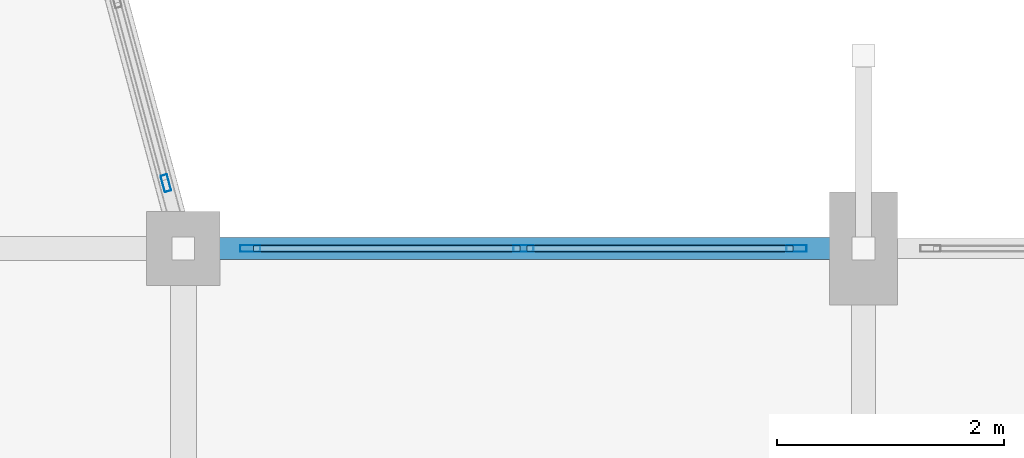
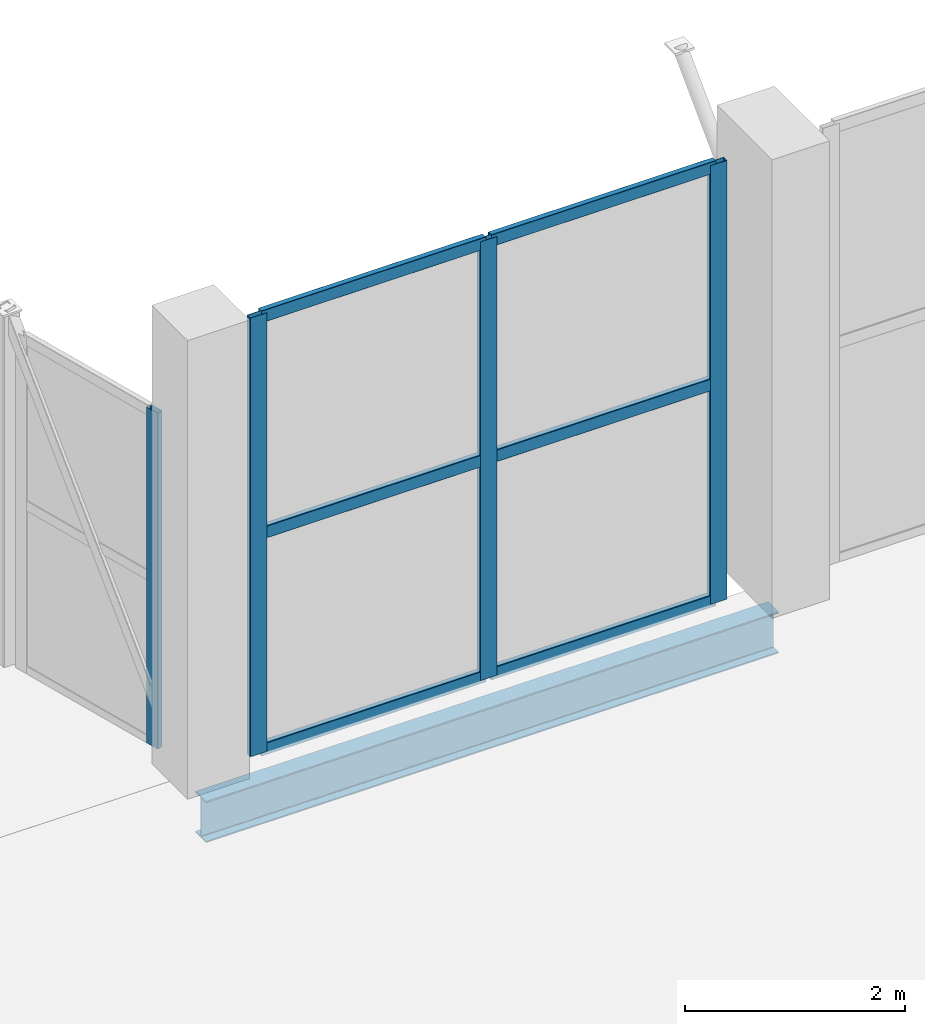
# One storey, part 44 of 127: 10 members, 1 beam, 2 elements without a shape of their own.
"""IFC4 building model written with IfcOpenShell, lengths in metres."""

import ifcopenshell
import ifcopenshell.guid

model = None  # the IFC model being written
_history = None  # IfcOwnerHistory: only IFC2X3 demands one
_inside = {}  # id of a spatial element -> (the spatial element, [elements in it])
_under = {}  # id of a project, library or spatial element -> (it, [spatial elements below it])
_declared = {}  # id of a project -> (the project, [libraries it declares])
_typed = {}  # id of a type object -> (the type object, [elements of that type])
_made_of = {}  # id of a material, layer set ... -> (it, [elements and type objects made of it])


def new_model(schema):
    """Start an empty IFC model of exactly this schema.

    Asked for "IFC4X3", IfcOpenShell would pick the latest addendum, in which some entities
    have other attributes; the version numbers below select the first issue.
    IFC2X3 requires an IfcOwnerHistory on every rooted entity: one is made here for all.
    """
    global model, _history
    if schema == "IFC4X3":
        model = ifcopenshell.file(schema_version=(4, 3, 0, 0))
    else:
        model = ifcopenshell.file(schema=schema)
    _inside.clear()
    _under.clear()
    _declared.clear()
    _typed.clear()
    _made_of.clear()
    _history = None
    if model.schema == "IFC2X3":
        org = make("IfcOrganization", Name="unknown")
        user = make(
            "IfcPersonAndOrganization",
            ThePerson=make("IfcPerson", FamilyName="unknown"),
            TheOrganization=org,
        )
        app = make(
            "IfcApplication",
            ApplicationDeveloper=org,
            Version="unknown",
            ApplicationFullName="unknown",
            ApplicationIdentifier="unknown",
        )
        _history = make(
            "IfcOwnerHistory",
            OwningUser=user,
            OwningApplication=app,
            ChangeAction="ADDED",
            CreationDate=0,
        )
    return model


def make(cls, **values):
    """One entity of the class cls with the attributes given. An attribute that is None is left unset."""
    return model.create_entity(
        cls, **{name: value for name, value in values.items() if value is not None}
    )


def rooted(cls, **values):
    """An entity with a GlobalId (a new one), such as an element, a storey or a relation."""
    return make(cls, GlobalId=ifcopenshell.guid.new(), OwnerHistory=_history, **values)


def si_unit(unit_type, name, prefix=None):
    """IfcSIUnit, for example si_unit("LENGTHUNIT", "METRE", prefix="MILLI")."""
    return make("IfcSIUnit", UnitType=unit_type, Prefix=prefix, Name=name)


def assignment(units):
    """IfcUnitAssignment: the units of a project."""
    return None if units is None else make("IfcUnitAssignment", Units=units)


def point(xyz):
    """IfcCartesianPoint."""
    return None if xyz is None else make("IfcCartesianPoint", Coordinates=xyz)


def direction(xyz):
    """IfcDirection."""
    return None if xyz is None else make("IfcDirection", DirectionRatios=xyz)


def frame(location, z_axis=None, x_axis=None):
    """IfcAxis2Placement3D, a coordinate frame: its origin and axes. An axis left out is left unset."""
    return make(
        "IfcAxis2Placement3D",
        Location=point(location),
        Axis=direction(z_axis),
        RefDirection=direction(x_axis),
    )


def frame_2d(location, x_axis=None):
    """IfcAxis2Placement2D, a coordinate frame in the plane: its origin and x axis."""
    return make(
        "IfcAxis2Placement2D", Location=point(location), RefDirection=direction(x_axis)
    )


def origin():
    """The frame at (0, 0, 0) with its axes left unset."""
    return frame((0.0, 0.0, 0.0))


def origin_2d():
    """The frame at (0, 0) in the plane with its x axis left unset."""
    return frame_2d((0.0, 0.0))


def place(relative_to, where):
    """IfcLocalPlacement: puts the frame where relative to a parent placement (None: the world)."""
    return make(
        "IfcLocalPlacement", PlacementRelTo=relative_to, RelativePlacement=where
    )


def context(
    kind, dimensions, precision=None, world=None, true_north=None, identifier=None
):
    """IfcGeometricRepresentationContext, for example the 3D "Model" context."""
    return make(
        "IfcGeometricRepresentationContext",
        ContextIdentifier=identifier,
        ContextType=kind,
        CoordinateSpaceDimension=dimensions,
        Precision=precision,
        WorldCoordinateSystem=world,
        TrueNorth=true_north,
    )


def subcontext(parent, identifier, kind, view, scale=None):
    """IfcGeometricRepresentationSubContext, for example "Body" below "Model"."""
    return make(
        "IfcGeometricRepresentationSubContext",
        ContextIdentifier=identifier,
        ContextType=kind,
        ParentContext=parent,
        TargetScale=scale,
        TargetView=view,
    )


def project(units=None, contexts=None):
    """IfcProject with its units and contexts."""
    return rooted(
        "IfcProject",
        Name="project",
        RepresentationContexts=contexts,
        UnitsInContext=assignment(units),
    )


def spatial(cls, under=None, at=None, **own):
    """A site, building, storey or space (cls), placed at a placement, below another one or the project."""
    s = rooted(cls, ObjectPlacement=at, **own)
    if under is not None:
        _under.setdefault(under.id(), (under, []))[1].append(s)
    return s


def profile(cls, at=None, kind="AREA", **sizes):
    """A parametric profile (cls). Its sizes go by their IFC names, for example OverallWidth=200.0."""
    return make(cls, ProfileType=kind, Position=at, **sizes)


def hollow_rectangle(**sizes):
    """IfcRectangleHollowProfileDef."""
    return profile("IfcRectangleHollowProfileDef", **sizes)


def i_section(**sizes):
    """IfcIShapeProfileDef."""
    return profile("IfcIShapeProfileDef", **sizes)


def extrude(swept, where, along, depth):
    """IfcExtrudedAreaSolid: the profile swept, set in the frame where, extruded along a direction by depth."""
    return make(
        "IfcExtrudedAreaSolid",
        SweptArea=swept,
        Position=where,
        ExtrudedDirection=direction(along),
        Depth=depth,
    )


def shape(context_of_items, identifier, shape_type, items):
    """IfcShapeRepresentation: the items that make up one representation, for example the "Body"."""
    return make(
        "IfcShapeRepresentation",
        ContextOfItems=context_of_items,
        RepresentationIdentifier=identifier,
        RepresentationType=shape_type,
        Items=items,
    )


def material(Name=None, Category=None):
    """IfcMaterial."""
    return make("IfcMaterial", Name=Name, Category=Category)


def layer(
    of_material, thickness, ventilated=None, Name=None, Category=None, Priority=None
):
    """IfcMaterialLayer: one layer of a wall or slab, of a material (None: an air gap)."""
    return make(
        "IfcMaterialLayer",
        Material=of_material,
        LayerThickness=thickness,
        IsVentilated=ventilated,
        Name=Name,
        Category=Category,
        Priority=Priority,
    )


def layer_set(layers, Name=None):
    """IfcMaterialLayerSet."""
    return make("IfcMaterialLayerSet", MaterialLayers=layers, LayerSetName=Name)


def material_profile(
    of_material, cross_section, Name=None, Category=None, Priority=None
):
    """IfcMaterialProfile: a cross section and its material."""
    return make(
        "IfcMaterialProfile",
        Name=Name,
        Material=of_material,
        Profile=cross_section,
        Priority=Priority,
        Category=Category,
    )


def profile_set(profiles, Name=None, composite=None):
    """IfcMaterialProfileSet."""
    return make(
        "IfcMaterialProfileSet",
        Name=Name,
        MaterialProfiles=profiles,
        CompositeProfile=composite,
    )


def made_of(thing, what):
    """Note that an element or type object is made of a material, layer set ...; save() writes the relation."""
    if what is not None:
        _made_of.setdefault(what.id(), (what, []))[1].append(thing)
    return thing


def type_object(cls, material=None, **own):
    """A type object (cls), such as IfcWallType, which elements share."""
    return made_of(rooted(cls, **own), material)


def element(
    cls,
    number,
    at=None,
    inside=None,
    cuts=None,
    type_object=None,
    material=None,
    context=None,
    identifier="Body",
    shape_type=None,
    held_by="IfcProductDefinitionShape",
    body=None,
    shapes=None,
    **own,
):
    """One element of the class cls, such as IfcWall. Its Tag is "e" and its number.

    at: its placement. inside: the storey or other place that contains it. cuts: it is an
    opening in that element (IfcRelVoidsElement). A single representation is given by context,
    identifier, shape_type and body (its items); several are given by shapes. held_by: the class
    of the entity that holds the representations. save() writes the other relations.
    """
    e = rooted(cls, Tag="e%d" % number, ObjectPlacement=at, **own)
    if body is not None:
        shapes = [shape(context, identifier, shape_type, body)]
    if shapes is not None:
        e.Representation = make(held_by, Representations=shapes)
    if inside is not None:
        _inside.setdefault(inside.id(), (inside, []))[1].append(e)
    if cuts is not None:
        rooted(
            "IfcRelVoidsElement", RelatingBuildingElement=cuts, RelatedOpeningElement=e
        )
    if type_object is not None:
        _typed.setdefault(type_object.id(), (type_object, []))[1].append(e)
    return made_of(e, material)


def aggregate(whole, parts):
    """IfcRelAggregates: a whole, such as a stair, and the parts it consists of."""
    return rooted("IfcRelAggregates", RelatingObject=whole, RelatedObjects=parts)


def save(model, path):
    """Write the relations noted so far, then the file.

    IfcRelAggregates (storeys below a building ...), IfcRelContainedInSpatialStructure (elements
    in a storey), IfcRelDefinesByType, IfcRelAssociatesMaterial and IfcRelDeclares: one each for
    every whole, place, type object, material and project.
    """
    for whole, parts in _under.values():
        aggregate(whole, parts)
    for where, things in _inside.values():
        rooted(
            "IfcRelContainedInSpatialStructure",
            RelatedElements=things,
            RelatingStructure=where,
        )
    for kind, things in _typed.values():
        rooted("IfcRelDefinesByType", RelatedObjects=things, RelatingType=kind)
    for what, things in _made_of.values():
        rooted("IfcRelAssociatesMaterial", RelatedObjects=things, RelatingMaterial=what)
    for by, libraries in _declared.values():
        rooted("IfcRelDeclares", RelatingContext=by, RelatedDefinitions=libraries)
    model.write(path)


model = new_model("IFC4")

# Units and contexts
model_context = context("Model", 3, precision=1e-05, world=origin(), true_north=direction((0.0, 1.0)))
body_context = subcontext(model_context, "Body", "Model", "MODEL_VIEW")
ifc_project = project(units=[si_unit("LENGTHUNIT", "METRE"), si_unit("AREAUNIT", "SQUARE_METRE"), si_unit("VOLUMEUNIT", "CUBIC_METRE"), si_unit("PLANEANGLEUNIT", "RADIAN"), si_unit("MASSUNIT", "GRAM", prefix="KILO")], contexts=[model_context])

# Site, building, storey
site_placement = place(None, origin())
site = spatial("IfcSite", under=ifc_project, at=site_placement, CompositionType="ELEMENT")
building_placement = place(site_placement, origin())
building = spatial("IfcBuilding", under=site, at=building_placement, Name="Dunvalen Ferry Terminal", CompositionType="ELEMENT")
storey_placement = place(building_placement, frame((0.0, 0.0, 5.760009765625)))
storey = spatial("IfcBuildingStorey", under=building, at=storey_placement, Name="L01", CompositionType="ELEMENT", Elevation=5.760009765625)

# Curtain wall, members
ifc_material_1 = material(Name="Anodised marine aluminium and solar-control glazing", Category="aluminium")
ifc_layer_1 = layer(ifc_material_1, 0.219970703125, Name="Anodised marine aluminium and solar-control glazing")
ifc_layer_set_1 = layer_set([ifc_layer_1], Name="Anodised marine aluminium and solar-control glazing")
curtain_wall_type_1 = type_object("IfcCurtainWallType", Name="ENV-CW-SYS-02", PredefinedType="NOTDEFINED", material=ifc_layer_set_1)
curtain_wall_1_placement = place(storey_placement, origin())
curtain_wall_1 = element("IfcCurtainWall", 1, at=curtain_wall_1_placement, inside=storey, type_object=curtain_wall_type_1, Name="L01 Curtain Wall CW-V1N-L01-06", PredefinedType="NOTDEFINED")
ifc_material_2 = material(Name="Anodised marine aluminium EN AW-6063 T6", Category="aluminium")
ifc_material_profile_1 = material_profile(ifc_material_2, hollow_rectangle(XDim=0.06005859375, YDim=0.179931640625, WallThickness=0.00341796875, InnerFilletRadius=0.00341796875, OuterFilletRadius=0.007080078125, at=origin_2d()), Name="Anodised marine aluminium EN AW-6063 T6")
ifc_profile_set_1 = profile_set([ifc_material_profile_1], Name="Anodised marine aluminium EN AW-6063 T6")
member_type_1 = type_object("IfcMemberType", Name="ENV-CW-MUL-2", PredefinedType="MULLION", material=ifc_profile_set_1)
member_1_placement = place(storey_placement, frame((42.590087890625, 86.39990234375, 0.0), z_axis=(0.0, 0.0, 1.0), x_axis=(0.0, 1.0, 0.0)))
member_1 = element("IfcMember", 2, at=member_1_placement, type_object=member_type_1, Name="CW-02 mullion 1", PredefinedType="MULLION", context=body_context, shape_type="SweptSolid", body=[
    extrude(hollow_rectangle(XDim=0.06005859375, YDim=0.179931640625, WallThickness=0.00341796875, InnerFilletRadius=0.00341796875, OuterFilletRadius=0.007080078125, at=origin_2d()), origin(), (0.0, 0.0, 1.0), 4.860107421875),
])
member_2_placement = place(storey_placement, frame((45.0, 86.39990234375, 0.0), z_axis=(0.0, 0.0, 1.0), x_axis=(0.0, 1.0, 0.0)))
member_2 = element("IfcMember", 3, at=member_2_placement, type_object=member_type_1, Name="CW-02 mullion 2", PredefinedType="MULLION", context=body_context, shape_type="SweptSolid", body=[
    extrude(hollow_rectangle(XDim=0.06005859375, YDim=0.179931640625, WallThickness=0.00341796875, InnerFilletRadius=0.00341796875, OuterFilletRadius=0.007080078125, at=origin_2d()), origin(), (0.0, 0.0, 1.0), 4.860107421875),
])
member_3_placement = place(storey_placement, frame((47.409912109375, 86.39990234375, 0.0), z_axis=(0.0, 0.0, 1.0), x_axis=(0.0, 1.0, 0.0)))
member_3 = element("IfcMember", 4, at=member_3_placement, type_object=member_type_1, Name="CW-02 mullion 3", PredefinedType="MULLION", context=body_context, shape_type="SweptSolid", body=[
    extrude(hollow_rectangle(XDim=0.06005859375, YDim=0.179931640625, WallThickness=0.00341796875, InnerFilletRadius=0.00341796875, OuterFilletRadius=0.007080078125, at=origin_2d()), origin(), (0.0, 0.0, 1.0), 4.860107421875),
])

# Curtain wall, member
ifc_layer_2 = layer(ifc_material_1, 0.159912109375, Name="Anodised marine aluminium and solar-control glazing")
ifc_layer_set_2 = layer_set([ifc_layer_2], Name="Anodised marine aluminium and solar-control glazing")
curtain_wall_type_2 = type_object("IfcCurtainWallType", Name="ENV-CW-SYS-07", PredefinedType="NOTDEFINED", material=ifc_layer_set_2)
curtain_wall_2_placement = place(storey_placement, origin())
curtain_wall_2 = element("IfcCurtainWall", 5, at=curtain_wall_2_placement, inside=storey, type_object=curtain_wall_type_2, Name="L01 Curtain Wall CW-BRG1-S2-1", PredefinedType="NOTDEFINED")
ifc_material_profile_2 = material_profile(ifc_material_2, hollow_rectangle(XDim=0.06005859375, YDim=0.14990234375, WallThickness=0.00341796875, InnerFilletRadius=0.00341796875, OuterFilletRadius=0.007080078125, at=origin_2d()), Name="Anodised marine aluminium EN AW-6063 T6")
ifc_profile_set_2 = profile_set([ifc_material_profile_2], Name="Anodised marine aluminium EN AW-6063 T6")
member_type_2 = type_object("IfcMemberType", Name="ENV-CW-MUL-3", PredefinedType="MULLION", material=ifc_profile_set_2)
member_4_placement = place(storey_placement, frame((41.845703125, 86.97607421875, 0.0), z_axis=(0.0, 0.0, 1.0), x_axis=(-0.965919306501, -0.258843376057, 0.0)))
member_4 = element("IfcMember", 6, at=member_4_placement, type_object=member_type_2, Name="CW-07 mullion 1", PredefinedType="MULLION", context=body_context, shape_type="SweptSolid", body=[
    extrude(hollow_rectangle(XDim=0.06005859375, YDim=0.14990234375, WallThickness=0.00341796875, InnerFilletRadius=0.00341796875, OuterFilletRadius=0.007080078125, at=origin_2d()), origin(), (0.0, 0.0, 1.0), 3.719970703125),
])
aggregate(curtain_wall_2, [member_4])

# Member
ifc_material_profile_3 = material_profile(ifc_material_2, hollow_rectangle(XDim=0.06005859375, YDim=0.135009765625, WallThickness=0.003173828125, InnerFilletRadius=0.003173828125, OuterFilletRadius=0.00634765625, at=origin_2d()), Name="Anodised marine aluminium EN AW-6063 T6")
ifc_profile_set_3 = profile_set([ifc_material_profile_3], Name="Anodised marine aluminium EN AW-6063 T6")
member_type_3 = type_object("IfcMemberType", Name="ENV-CW-TRN-2", PredefinedType="USERDEFINED", material=ifc_profile_set_3)
member_5_placement = place(storey_placement, frame((42.6201171875, 86.39990234375, 0.030029296875), z_axis=(1.0, 0.0, 0.0), x_axis=(0.0, 1.0, 0.0)))
member_5 = element("IfcMember", 7, at=member_5_placement, type_object=member_type_3, Name="CW-02 transom 1.1", ObjectType="TRANSOM", PredefinedType="USERDEFINED", context=body_context, shape_type="SweptSolid", body=[
    extrude(hollow_rectangle(XDim=0.06005859375, YDim=0.135009765625, WallThickness=0.003173828125, InnerFilletRadius=0.003173828125, OuterFilletRadius=0.00634765625, at=origin_2d()), origin(), (0.0, 0.0, 1.0), 2.349853515625),
])

member_6_placement = place(storey_placement, frame((42.6201171875, 86.39990234375, 2.429931640625), z_axis=(1.0, 0.0, 0.0), x_axis=(0.0, 1.0, 0.0)))
member_6 = element("IfcMember", 8, at=member_6_placement, type_object=member_type_3, Name="CW-02 transom 1.2", ObjectType="TRANSOM", PredefinedType="USERDEFINED", context=body_context, shape_type="SweptSolid", body=[
    extrude(hollow_rectangle(XDim=0.06005859375, YDim=0.135009765625, WallThickness=0.003173828125, InnerFilletRadius=0.003173828125, OuterFilletRadius=0.00634765625, at=origin_2d()), origin(), (0.0, 0.0, 1.0), 2.349853515625),
])

member_7_placement = place(storey_placement, frame((42.6201171875, 86.39990234375, 4.830078125), z_axis=(1.0, 0.0, 0.0), x_axis=(0.0, 1.0, 0.0)))
member_7 = element("IfcMember", 9, at=member_7_placement, type_object=member_type_3, Name="CW-02 transom 1.3", ObjectType="TRANSOM", PredefinedType="USERDEFINED", context=body_context, shape_type="SweptSolid", body=[
    extrude(hollow_rectangle(XDim=0.06005859375, YDim=0.135009765625, WallThickness=0.003173828125, InnerFilletRadius=0.003173828125, OuterFilletRadius=0.00634765625, at=origin_2d()), origin(), (0.0, 0.0, 1.0), 2.349853515625),
])

member_8_placement = place(storey_placement, frame((45.030029296875, 86.39990234375, 0.030029296875), z_axis=(1.0, 0.0, 0.0), x_axis=(0.0, 1.0, 0.0)))
member_8 = element("IfcMember", 10, at=member_8_placement, type_object=member_type_3, Name="CW-02 transom 2.1", ObjectType="TRANSOM", PredefinedType="USERDEFINED", context=body_context, shape_type="SweptSolid", body=[
    extrude(hollow_rectangle(XDim=0.06005859375, YDim=0.135009765625, WallThickness=0.003173828125, InnerFilletRadius=0.003173828125, OuterFilletRadius=0.00634765625, at=origin_2d()), origin(), (0.0, 0.0, 1.0), 2.349853515625),
])

member_9_placement = place(storey_placement, frame((45.030029296875, 86.39990234375, 2.429931640625), z_axis=(1.0, 0.0, 0.0), x_axis=(0.0, 1.0, 0.0)))
member_9 = element("IfcMember", 11, at=member_9_placement, type_object=member_type_3, Name="CW-02 transom 2.2", ObjectType="TRANSOM", PredefinedType="USERDEFINED", context=body_context, shape_type="SweptSolid", body=[
    extrude(hollow_rectangle(XDim=0.06005859375, YDim=0.135009765625, WallThickness=0.003173828125, InnerFilletRadius=0.003173828125, OuterFilletRadius=0.00634765625, at=origin_2d()), origin(), (0.0, 0.0, 1.0), 2.349853515625),
])

member_10_placement = place(storey_placement, frame((45.030029296875, 86.39990234375, 4.830078125), z_axis=(1.0, 0.0, 0.0), x_axis=(0.0, 1.0, 0.0)))
member_10 = element("IfcMember", 12, at=member_10_placement, type_object=member_type_3, Name="CW-02 transom 2.3", ObjectType="TRANSOM", PredefinedType="USERDEFINED", context=body_context, shape_type="SweptSolid", body=[
    extrude(hollow_rectangle(XDim=0.06005859375, YDim=0.135009765625, WallThickness=0.003173828125, InnerFilletRadius=0.003173828125, OuterFilletRadius=0.00634765625, at=origin_2d()), origin(), (0.0, 0.0, 1.0), 2.349853515625),
])

aggregate(curtain_wall_1, [member_1, member_2, member_3, member_5, member_6, member_7, member_8, member_9, member_10])

# Beam
ifc_material_3 = material(Name="Steel S355", Category="steel")
ifc_material_profile_4 = material_profile(ifc_material_3, i_section(OverallWidth=0.1904296875, OverallDepth=0.45703125, WebThickness=0.009033203125, FlangeThickness=0.014404296875, FilletRadius=0.01025390625, at=origin_2d()), Name="Steel S355")
ifc_profile_set_4 = profile_set([ifc_material_profile_4], Name="Steel S355")
beam_type = type_object("IfcBeamType", Name="STR-BM-UKB457", PredefinedType="BEAM", material=ifc_profile_set_4)
beam_placement = place(storey_placement, frame((42.0, 86.39990234375, -0.508544921875), z_axis=(1.0, 0.0, 0.0), x_axis=(0.0, 1.0, 0.0)))
element("IfcBeam", 13, at=beam_placement, inside=storey, type_object=beam_type, Name="L01 V1M Primary Beam X-067", PredefinedType="BEAM", context=body_context, shape_type="SweptSolid", body=[
    extrude(i_section(OverallWidth=0.1904296875, OverallDepth=0.45703125, WebThickness=0.009033203125, FlangeThickness=0.014404296875, FilletRadius=0.01025390625, at=origin_2d()), origin(), (0.0, 0.0, 1.0), 6.0),
])

save(model, "model.ifc")
